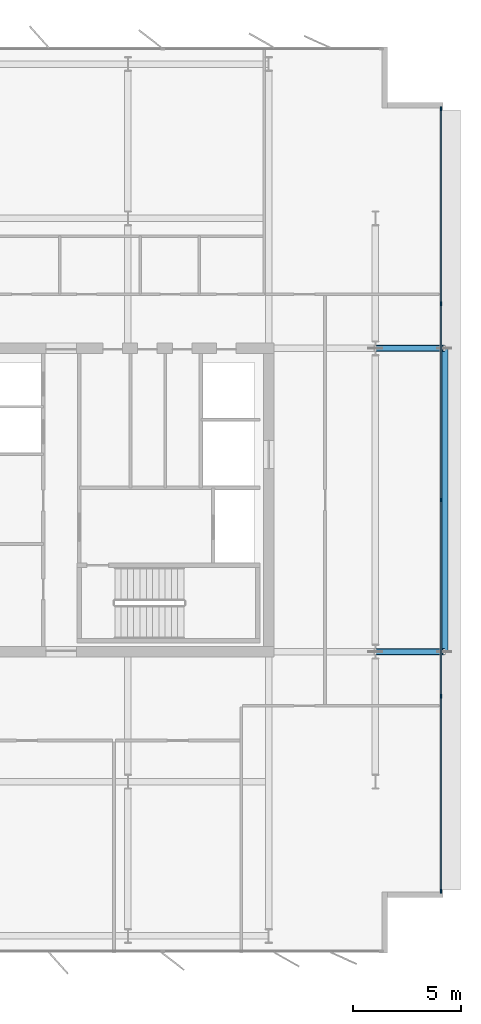
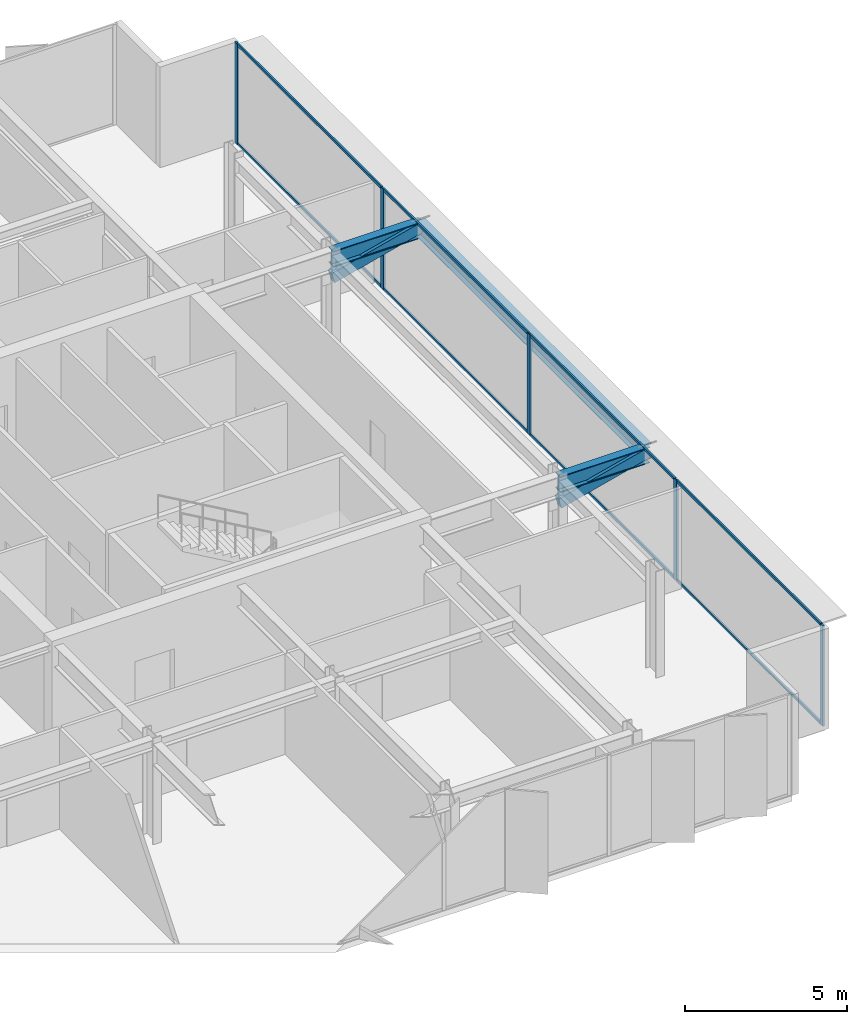
# One storey, part 10 of 20: 15 members, 3 beams, 1 element without a shape of its own.
"""IFC4 building model written with IfcOpenShell, lengths in metres."""

from ifc_helpers import new_model, si_unit, direction, frame, origin, origin_2d, place, context, subcontext, project, spatial, rectangle, hollow_rectangle, i_section, extrude, material, layer, layer_set, material_profile, profile_set, type_object, element, aggregate, save


model = new_model("IFC4")

# Units and contexts
model_context = context("Model", 3, precision=1e-05, world=origin(), true_north=direction((0.0, 1.0)))
body_context = subcontext(model_context, "Body", "Model", "MODEL_VIEW")
ifc_project = project(units=[si_unit("LENGTHUNIT", "METRE"), si_unit("AREAUNIT", "SQUARE_METRE"), si_unit("VOLUMEUNIT", "CUBIC_METRE"), si_unit("PLANEANGLEUNIT", "RADIAN"), si_unit("MASSUNIT", "GRAM", prefix="KILO")], contexts=[model_context])

# Site, building, storey
site_placement = place(None, origin())
site = spatial("IfcSite", under=ifc_project, at=site_placement, CompositionType="ELEMENT")
building_placement = place(site_placement, origin())
building = spatial("IfcBuilding", under=site, at=building_placement, Name="Putna Gate Headquarters", CompositionType="ELEMENT")
storey_placement = place(building_placement, frame((0.0, 0.0, 286.39990234375)))
storey = spatial("IfcBuildingStorey", under=building, at=storey_placement, Name="L72", CompositionType="ELEMENT", Elevation=286.39990234375)

# Beams
ifc_material_1 = material(Name="Steel S355J2", Category="steel")
ifc_material_profile_1 = material_profile(ifc_material_1, i_section(OverallWidth=0.300048828125, OverallDepth=0.60009765625, WebThickness=0.015380859375, FlangeThickness=0.030029296875, at=origin_2d()), Name="Steel S355J2")
ifc_profile_set_1 = profile_set([ifc_material_profile_1], Name="Steel S355J2")
beam_type_1 = type_object("IfcBeamType", Name="BM-GIRD-SAIL-HEB600", PredefinedType="USERDEFINED", material=ifc_profile_set_1)
for number, where, z_axis, x_axis, name in (
    (1, (69.926025390625, 19.0, 3.488037109375), (1.0, 0.0, 0.0), (0.0, 1.0, 0.0), "L72 East Sail Outrigger Bracket Y19"),
    (2, (69.926025390625, 33.0, 3.488037109375), (1.0, 0.0, 0.0), (0.0, 1.0, 0.0), "L72 East Sail Outrigger Bracket Y33"),
):
    element("IfcBeam", number, at=place(storey_placement, frame(where, z_axis=z_axis, x_axis=x_axis)), inside=storey, type_object=beam_type_1, Name=name, ObjectType="GIRDER", PredefinedType="USERDEFINED", context=body_context, shape_type="SweptSolid", body=[
        extrude(i_section(OverallWidth=0.300048828125, OverallDepth=0.60009765625, WebThickness=0.015380859375, FlangeThickness=0.030029296875, at=origin_2d()), origin(), (0.0, 0.0, 1.0), 3.194091796875),
    ])
ifc_material_profile_2 = material_profile(ifc_material_1, i_section(OverallWidth=0.300048828125, OverallDepth=0.590087890625, WebThickness=0.012939453125, FlangeThickness=0.02490234375, at=origin_2d()), Name="Steel S355J2")
ifc_profile_set_2 = profile_set([ifc_material_profile_2], Name="Steel S355J2")
beam_type_2 = type_object("IfcBeamType", Name="BM-SPAN-Z4-HEA600", PredefinedType="SPANDREL", material=ifc_profile_set_2)
beam_placement = place(storey_placement, frame((73.1201171875, 19.02001953125, 3.4931640625), z_axis=(0.0, 1.0, 0.0), x_axis=(-1.0, 0.0, 0.0)))
element("IfcBeam", 3, at=beam_placement, inside=storey, type_object=beam_type_2, Name="L72 East Sail Edge Spandrel", PredefinedType="SPANDREL", context=body_context, shape_type="SweptSolid", body=[
    extrude(i_section(OverallWidth=0.300048828125, OverallDepth=0.590087890625, WebThickness=0.012939453125, FlangeThickness=0.02490234375, at=origin_2d()), origin(), (0.0, 0.0, 1.0), 13.9599609375),
])

# Members
ifc_material_2 = material(Name="Steel S460M", Category="steel")
ifc_material_profile_3 = material_profile(ifc_material_2, hollow_rectangle(XDim=0.25, YDim=0.39990234375, WallThickness=0.01611328125, at=origin_2d()), Name="Steel S460M")
ifc_profile_set_3 = profile_set([ifc_material_profile_3], Name="Steel S460M")
member_type_1 = type_object("IfcMemberType", Name="MEM-SAIL-BRACE-RHS400", PredefinedType="BRACE", material=ifc_profile_set_3)
for number, where, z_axis, x_axis, name in (
    (4, (69.934326171875, 19.0, 2.755126953125), (0.96875163726, 0.0, 0.24803279079), (0.0, 1.0, 0.0), "L72 East Sail Cantilever Raker Y19"),
    (5, (69.934326171875, 33.0, 2.755126953125), (0.96875163726, 0.0, 0.24803279079), (0.0, 1.0, 0.0), "L72 East Sail Cantilever Raker Y33"),
):
    element("IfcMember", number, at=place(storey_placement, frame(where, z_axis=z_axis, x_axis=x_axis)), inside=storey, type_object=member_type_1, Name=name, PredefinedType="BRACE", context=body_context, shape_type="SweptSolid", body=[
        extrude(hollow_rectangle(XDim=0.25, YDim=0.39990234375, WallThickness=0.01611328125, at=origin_2d()), origin(), (0.0, 0.0, 1.0), 3.258056640625),
    ])

# Curtain wall, members
ifc_material_3 = material(Name="Anodised bronze aluminium curtain wall", Category="aluminium")
ifc_layer = layer(ifc_material_3, 0.179931640625)
ifc_layer_set = layer_set([ifc_layer], Name="Anodised bronze aluminium curtain wall")
curtain_wall_type = type_object("IfcCurtainWallType", Name="CW-SYS-Z5", PredefinedType="USERDEFINED", material=ifc_layer_set)
curtain_wall_placement = place(storey_placement, origin())
curtain_wall = element("IfcCurtainWall", 6, at=curtain_wall_placement, inside=storey, type_object=curtain_wall_type, Name="L72 East Curtain Wall", ObjectType="STICK CURTAIN WALL", PredefinedType="USERDEFINED")
ifc_material_4 = material(Name="Anodised bronze aluminium EN AW-6060", Category="aluminium")
ifc_material_profile_4 = material_profile(ifc_material_4, rectangle(XDim=0.070068359375, YDim=0.179931640625, at=origin_2d()), Name="Anodised bronze aluminium EN AW-6060")
ifc_profile_set_4 = profile_set([ifc_material_profile_4], Name="Anodised bronze aluminium EN AW-6060")
member_type_2 = type_object("IfcMemberType", Name="MULL-CWM-5", PredefinedType="MULLION", material=ifc_profile_set_4)
member_1_placement = place(storey_placement, frame((72.955078125, 7.93505859375, 0.0), z_axis=(0.0, 0.0, 1.0), x_axis=(-1.0, 0.0, 0.0)))
member_1 = element("IfcMember", 7, at=member_1_placement, type_object=member_type_2, Name="CWS-5 mullion 1", PredefinedType="MULLION", context=body_context, shape_type="SweptSolid", body=[
    extrude(rectangle(XDim=0.070068359375, YDim=0.179931640625, at=origin_2d()), origin(), (0.0, 0.0, 1.0), 3.7880859375),
])
member_2_placement = place(storey_placement, frame((72.955078125, 16.949951171875, 0.0), z_axis=(0.0, 0.0, 1.0), x_axis=(-1.0, 0.0, 0.0)))
member_2 = element("IfcMember", 8, at=member_2_placement, type_object=member_type_2, Name="CWS-5 mullion 2", PredefinedType="MULLION", context=body_context, shape_type="SweptSolid", body=[
    extrude(rectangle(XDim=0.070068359375, YDim=0.179931640625, at=origin_2d()), origin(), (0.0, 0.0, 1.0), 3.7880859375),
])
member_3_placement = place(storey_placement, frame((72.955078125, 26.0, 0.0), z_axis=(0.0, 0.0, 1.0), x_axis=(-1.0, 0.0, 0.0)))
member_3 = element("IfcMember", 9, at=member_3_placement, type_object=member_type_2, Name="CWS-5 mullion 3", PredefinedType="MULLION", context=body_context, shape_type="SweptSolid", body=[
    extrude(rectangle(XDim=0.070068359375, YDim=0.179931640625, at=origin_2d()), origin(), (0.0, 0.0, 1.0), 3.7880859375),
])
member_4_placement = place(storey_placement, frame((72.955078125, 35.050048828125, 0.0), z_axis=(0.0, 0.0, 1.0), x_axis=(-1.0, 0.0, 0.0)))
member_4 = element("IfcMember", 10, at=member_4_placement, type_object=member_type_2, Name="CWS-5 mullion 4", PredefinedType="MULLION", context=body_context, shape_type="SweptSolid", body=[
    extrude(rectangle(XDim=0.070068359375, YDim=0.179931640625, at=origin_2d()), origin(), (0.0, 0.0, 1.0), 3.7880859375),
])
member_5_placement = place(storey_placement, frame((72.955078125, 44.06494140625, 0.0), z_axis=(0.0, 0.0, 1.0), x_axis=(-1.0, 0.0, 0.0)))
member_5 = element("IfcMember", 11, at=member_5_placement, type_object=member_type_2, Name="CWS-5 mullion 5", PredefinedType="MULLION", context=body_context, shape_type="SweptSolid", body=[
    extrude(rectangle(XDim=0.070068359375, YDim=0.179931640625, at=origin_2d()), origin(), (0.0, 0.0, 1.0), 3.7880859375),
])
ifc_material_profile_5 = material_profile(ifc_material_4, rectangle(XDim=0.06005859375, YDim=0.10009765625, at=origin_2d()), Name="Anodised bronze aluminium EN AW-6060")
ifc_profile_set_5 = profile_set([ifc_material_profile_5], Name="Anodised bronze aluminium EN AW-6060")
member_type_3 = type_object("IfcMemberType", Name="TRAN-CWT-5", PredefinedType="USERDEFINED", material=ifc_profile_set_5)
member_6_placement = place(storey_placement, frame((72.955078125, 7.969970703125, 0.030029296875), z_axis=(0.0, 1.0, 0.0), x_axis=(-1.0, 0.0, 0.0)))
member_6 = element("IfcMember", 12, at=member_6_placement, type_object=member_type_3, Name="CWS-5 transom 1.1", ObjectType="TRANSOM", PredefinedType="USERDEFINED", context=body_context, shape_type="SweptSolid", body=[
    extrude(rectangle(XDim=0.06005859375, YDim=0.10009765625, at=origin_2d()), origin(), (0.0, 0.0, 1.0), 8.945068359375),
])
member_7_placement = place(storey_placement, frame((72.955078125, 7.969970703125, 3.758056640625), z_axis=(0.0, 1.0, 0.0), x_axis=(-1.0, 0.0, 0.0)))
member_7 = element("IfcMember", 13, at=member_7_placement, type_object=member_type_3, Name="CWS-5 transom 1.2", ObjectType="TRANSOM", PredefinedType="USERDEFINED", context=body_context, shape_type="SweptSolid", body=[
    extrude(rectangle(XDim=0.06005859375, YDim=0.10009765625, at=origin_2d()), origin(), (0.0, 0.0, 1.0), 8.945068359375),
])
member_8_placement = place(storey_placement, frame((72.955078125, 16.985107421875, 0.030029296875), z_axis=(0.0, 1.0, 0.0), x_axis=(-1.0, 0.0, 0.0)))
member_8 = element("IfcMember", 14, at=member_8_placement, type_object=member_type_3, Name="CWS-5 transom 2.1", ObjectType="TRANSOM", PredefinedType="USERDEFINED", context=body_context, shape_type="SweptSolid", body=[
    extrude(rectangle(XDim=0.06005859375, YDim=0.10009765625, at=origin_2d()), origin(), (0.0, 0.0, 1.0), 8.97998046875),
])
member_9_placement = place(storey_placement, frame((72.955078125, 16.985107421875, 3.758056640625), z_axis=(0.0, 1.0, 0.0), x_axis=(-1.0, 0.0, 0.0)))
member_9 = element("IfcMember", 15, at=member_9_placement, type_object=member_type_3, Name="CWS-5 transom 2.2", ObjectType="TRANSOM", PredefinedType="USERDEFINED", context=body_context, shape_type="SweptSolid", body=[
    extrude(rectangle(XDim=0.06005859375, YDim=0.10009765625, at=origin_2d()), origin(), (0.0, 0.0, 1.0), 8.97998046875),
])
member_10_placement = place(storey_placement, frame((72.955078125, 26.034912109375, 0.030029296875), z_axis=(0.0, 1.0, 0.0), x_axis=(-1.0, 0.0, 0.0)))
member_10 = element("IfcMember", 16, at=member_10_placement, type_object=member_type_3, Name="CWS-5 transom 3.1", ObjectType="TRANSOM", PredefinedType="USERDEFINED", context=body_context, shape_type="SweptSolid", body=[
    extrude(rectangle(XDim=0.06005859375, YDim=0.10009765625, at=origin_2d()), origin(), (0.0, 0.0, 1.0), 8.97998046875),
])
member_11_placement = place(storey_placement, frame((72.955078125, 26.034912109375, 3.758056640625), z_axis=(0.0, 1.0, 0.0), x_axis=(-1.0, 0.0, 0.0)))
member_11 = element("IfcMember", 17, at=member_11_placement, type_object=member_type_3, Name="CWS-5 transom 3.2", ObjectType="TRANSOM", PredefinedType="USERDEFINED", context=body_context, shape_type="SweptSolid", body=[
    extrude(rectangle(XDim=0.06005859375, YDim=0.10009765625, at=origin_2d()), origin(), (0.0, 0.0, 1.0), 8.97998046875),
])
member_12_placement = place(storey_placement, frame((72.955078125, 35.0849609375, 0.030029296875), z_axis=(0.0, 1.0, 0.0), x_axis=(-1.0, 0.0, 0.0)))
member_12 = element("IfcMember", 18, at=member_12_placement, type_object=member_type_3, Name="CWS-5 transom 4.1", ObjectType="TRANSOM", PredefinedType="USERDEFINED", context=body_context, shape_type="SweptSolid", body=[
    extrude(rectangle(XDim=0.06005859375, YDim=0.10009765625, at=origin_2d()), origin(), (0.0, 0.0, 1.0), 8.945068359375),
])
member_13_placement = place(storey_placement, frame((72.955078125, 35.0849609375, 3.758056640625), z_axis=(0.0, 1.0, 0.0), x_axis=(-1.0, 0.0, 0.0)))
member_13 = element("IfcMember", 19, at=member_13_placement, type_object=member_type_3, Name="CWS-5 transom 4.2", ObjectType="TRANSOM", PredefinedType="USERDEFINED", context=body_context, shape_type="SweptSolid", body=[
    extrude(rectangle(XDim=0.06005859375, YDim=0.10009765625, at=origin_2d()), origin(), (0.0, 0.0, 1.0), 8.945068359375),
])
aggregate(curtain_wall, [member_1, member_2, member_3, member_4, member_5, member_6, member_7, member_8, member_9, member_10, member_11, member_12, member_13])

save(model, "model.ifc")
